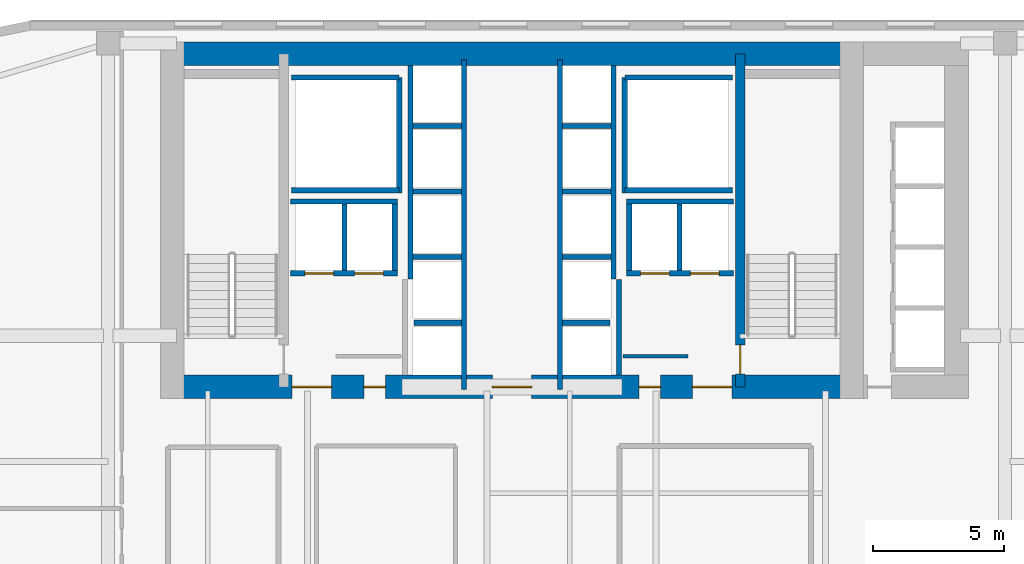
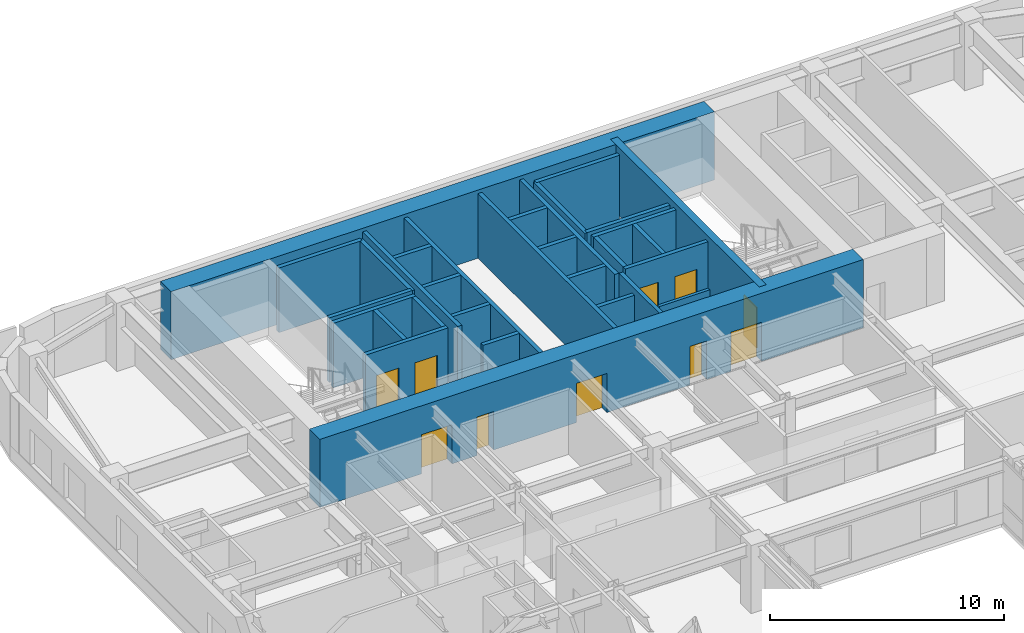
# One storey, part 18 of 24: 31 walls, 10 doors, 10 openings.
"""IFC4 building model written with IfcOpenShell, lengths in metres."""

from ifc_helpers import new_model, si_unit, direction, frame, frame_2d, origin, place, context, subcontext, project, spatial, rectangle, extrude, source, transform, mapped, material, layer, layer_set, type_object, type_shapes, element, fill, save


model = new_model("IFC4")

# Units and contexts
model_context = context("Model", 3, precision=1e-05, world=origin(), true_north=direction((0.0, 1.0)))
body_context = subcontext(model_context, "Body", "Model", "MODEL_VIEW")
ifc_project = project(units=[si_unit("LENGTHUNIT", "METRE"), si_unit("AREAUNIT", "SQUARE_METRE"), si_unit("VOLUMEUNIT", "CUBIC_METRE"), si_unit("PLANEANGLEUNIT", "RADIAN"), si_unit("MASSUNIT", "GRAM", prefix="KILO")], contexts=[model_context])

# Site, building, storey
site_placement = place(None, origin())
site = spatial("IfcSite", under=ifc_project, at=site_placement, CompositionType="ELEMENT")
building_placement = place(site_placement, origin())
building = spatial("IfcBuilding", under=site, at=building_placement, Name="Tolvann Quenvar Hotel", CompositionType="ELEMENT")
storey_placement = place(building_placement, frame((0.0, 0.0, 81.699951171875)))
storey = spatial("IfcBuildingStorey", under=building, at=storey_placement, Name="L20", CompositionType="ELEMENT", Elevation=81.699951171875)

# Wall, openings, doors
ifc_material_1 = material(Name="Concrete S80 (80 MPa)", Category="concrete")
ifc_layer_1 = layer(ifc_material_1, 0.89990234375)
ifc_layer_set_1 = layer_set([ifc_layer_1], Name="Concrete S80 (80 MPa)")
wall_type_1 = type_object("IfcWallType", Name="WALL_CORE_900", PredefinedType="SHEAR", material=ifc_layer_set_1)
wall_1_placement = place(storey_placement, frame((9.60009765625, 32.050048828125, 0.0), z_axis=(0.0, 0.0, 1.0), x_axis=(1.0, 0.0, 0.0)))
wall_1 = element("IfcWall", 1, at=wall_1_placement, inside=storey, type_object=wall_type_1, Name="Rear Core S Shear Wall (L20)", PredefinedType="SHEAR", context=body_context, shape_type="SweptSolid", body=[
    extrude(rectangle(XDim=26.7998046875, YDim=0.89990234375, at=frame_2d((13.39990234375, 0.0))), origin(), (0.0, 0.0, 1.0), 3.550048828125),
])
opening_1_placement = place(wall_1_placement, frame((6.52001953125, 0.0, 0.0), z_axis=(0.0, 0.0, 1.0), x_axis=(-1.0, 0.0, 0.0)))
opening_1 = element("IfcOpeningElement", 2, at=opening_1_placement, cuts=wall_1, Name="Opening FD-60D", PredefinedType="OPENING", context=body_context, shape_type="SweptSolid", body=[
    extrude(rectangle(XDim=1.5, YDim=2.0400390625, at=frame_2d((0.75, 1.02001953125))), frame((0.0, 0.4599609375, 0.0), z_axis=(0.0, -1.0, 0.0), x_axis=(1.0, 0.0, 0.0)), (0.0, 0.0, 1.0), 0.919921875),
])
opening_2_placement = place(wall_1_placement, frame((14.14990234375, 0.0, 0.0), z_axis=(0.0, 0.0, 1.0), x_axis=(-1.0, 0.0, 0.0)))
opening_2 = element("IfcOpeningElement", 3, at=opening_2_placement, cuts=wall_1, Name="Opening FD-60D", PredefinedType="OPENING", context=body_context, shape_type="SweptSolid", body=[
    extrude(rectangle(XDim=1.5, YDim=2.0400390625, at=frame_2d((0.75, 1.02001953125))), frame((0.0, 0.4599609375, 0.0), z_axis=(0.0, -1.0, 0.0), x_axis=(1.0, 0.0, 0.0)), (0.0, 0.0, 1.0), 0.919921875),
])
opening_3_placement = place(wall_1_placement, frame((21.780029296875, 0.0, 0.0), z_axis=(0.0, 0.0, 1.0), x_axis=(-1.0, 0.0, 0.0)))
opening_3 = element("IfcOpeningElement", 4, at=opening_3_placement, cuts=wall_1, Name="Opening FD-60D", PredefinedType="OPENING", context=body_context, shape_type="SweptSolid", body=[
    extrude(rectangle(XDim=1.5, YDim=2.0400390625, at=frame_2d((0.75, 1.02001953125))), frame((0.0, 0.4599609375, 0.0), z_axis=(0.0, -1.0, 0.0), x_axis=(1.0, 0.0, 0.0)), (0.0, 0.0, 1.0), 0.919921875),
])
opening_4_placement = place(wall_1_placement, frame((8.570068359375, 0.0, 0.0), z_axis=(0.0, 0.0, 1.0), x_axis=(-1.0, 0.0, 0.0)))
opening_4 = element("IfcOpeningElement", 5, at=opening_4_placement, cuts=wall_1, Name="Opening HD-02", PredefinedType="OPENING", context=body_context, shape_type="SweptSolid", body=[
    extrude(rectangle(XDim=0.820068359375, YDim=2.010009765625, at=frame_2d((0.41015625, 1.0048828125))), frame((0.0, 0.4599609375, 0.0), z_axis=(0.0, -1.0, 0.0), x_axis=(1.0, 0.0, 0.0)), (0.0, 0.0, 1.0), 0.919921875),
])
opening_5_placement = place(wall_1_placement, frame((19.070068359375, 0.0, 0.0), z_axis=(0.0, 0.0, 1.0), x_axis=(-1.0, 0.0, 0.0)))
opening_5 = element("IfcOpeningElement", 6, at=opening_5_placement, cuts=wall_1, Name="Opening HD-02", PredefinedType="OPENING", context=body_context, shape_type="SweptSolid", body=[
    extrude(rectangle(XDim=0.820068359375, YDim=2.010009765625, at=frame_2d((0.41015625, 1.0048828125))), frame((0.0, 0.4599609375, 0.0), z_axis=(0.0, -1.0, 0.0), x_axis=(1.0, 0.0, 0.0)), (0.0, 0.0, 1.0), 0.919921875),
])
ifc_material_2 = material(Name="Solid-core American oak acoustic fire door leaf in steel frame", Category="steel")
door_type_1 = type_object("IfcDoorType", Name="DOOR_FIRE_LOBBY_1500", OperationType="NOTDEFINED", PredefinedType="DOOR", material=ifc_material_2)
shared_shape_1 = source(origin(), body_context, "Body", "SweptSolid", [
    extrude(rectangle(XDim=1.5, YDim=2.0400390625, at=frame_2d((0.75, 1.02001953125))), frame((0.0, 0.02490234375, 0.0), z_axis=(0.0, -1.0, 0.0), x_axis=(1.0, 0.0, 0.0)), (0.0, 0.0, 1.0), 0.050048828125),
])
type_shapes(door_type_1, [shared_shape_1])
door_1_placement = place(opening_1_placement, origin())
door_1 = element("IfcDoor", 7, at=door_1_placement, inside=storey, type_object=door_type_1, Name="Core Lobby Fire Door FFW (L20)", OperationType="DOUBLE_DOOR_SINGLE_SWING", OverallHeight=2.0400390625, OverallWidth=1.5, PredefinedType="DOOR", context=body_context, shape_type="MappedRepresentation", body=[
    mapped(shared_shape_1, transform((0.0, 0.0, 0.0), x_axis=(1.0, 0.0, 0.0), y_axis=(0.0, 1.0, 0.0), z_axis=(0.0, 0.0, 1.0), scale=1.0)),
])
fill(opening_1, door_1)
door_2_placement = place(opening_2_placement, origin())
door_2 = element("IfcDoor", 8, at=door_2_placement, inside=storey, type_object=door_type_1, Name="Core Lobby Fire Door CLOB (L20)", OperationType="DOUBLE_DOOR_SINGLE_SWING", OverallHeight=2.0400390625, OverallWidth=1.5, PredefinedType="DOOR", context=body_context, shape_type="MappedRepresentation", body=[
    mapped(shared_shape_1, transform((0.0, 0.0, 0.0), x_axis=(1.0, 0.0, 0.0), y_axis=(0.0, 1.0, 0.0), z_axis=(0.0, 0.0, 1.0), scale=1.0)),
])
fill(opening_2, door_2)
door_3_placement = place(opening_3_placement, origin())
door_3 = element("IfcDoor", 9, at=door_3_placement, inside=storey, type_object=door_type_1, Name="Core Lobby Fire Door FFE (L20)", OperationType="DOUBLE_DOOR_SINGLE_SWING", OverallHeight=2.0400390625, OverallWidth=1.5, PredefinedType="DOOR", context=body_context, shape_type="MappedRepresentation", body=[
    mapped(shared_shape_1, transform((0.0, 0.0, 0.0), x_axis=(1.0, 0.0, 0.0), y_axis=(0.0, 1.0, 0.0), z_axis=(0.0, 0.0, 1.0), scale=1.0)),
])
fill(opening_3, door_3)
ifc_material_3 = material(Name="Pressed galvanised steel fire-rated door set", Category="steel")
door_type_2 = type_object("IfcDoorType", Name="DOOR_STORE_820", OperationType="NOTDEFINED", PredefinedType="DOOR", material=ifc_material_3)
shared_shape_2 = source(origin(), body_context, "Body", "SweptSolid", [
    extrude(rectangle(XDim=0.820068359375, YDim=2.010009765625, at=frame_2d((0.41015625, 1.0048828125))), frame((0.0, 0.02490234375, 0.0), z_axis=(0.0, -1.0, 0.0), x_axis=(1.0, 0.0, 0.0)), (0.0, 0.0, 1.0), 0.050048828125),
])
type_shapes(door_type_2, [shared_shape_2])
door_4_placement = place(opening_4_placement, origin())
door_4 = element("IfcDoor", 10, at=door_4_placement, inside=storey, type_object=door_type_2, Name="Core Linen Store Fire Door (L20)", OperationType="SINGLE_SWING_RIGHT", OverallHeight=2.010009765625, OverallWidth=0.820068359375, PredefinedType="DOOR", context=body_context, shape_type="MappedRepresentation", body=[
    mapped(shared_shape_2, transform((0.0, 0.0, 0.0), x_axis=(1.0, 0.0, 0.0), y_axis=(0.0, 1.0, 0.0), z_axis=(0.0, 0.0, 1.0), scale=1.0)),
])
fill(opening_4, door_4)
door_5_placement = place(opening_5_placement, origin())
door_5 = element("IfcDoor", 11, at=door_5_placement, inside=storey, type_object=door_type_2, Name="Core Comms Closet Fire Door (L20)", OperationType="SINGLE_SWING_LEFT", OverallHeight=2.010009765625, OverallWidth=0.820068359375, PredefinedType="DOOR", context=body_context, shape_type="MappedRepresentation", body=[
    mapped(shared_shape_2, transform((0.0, 0.0, 0.0), x_axis=(1.0, 0.0, 0.0), y_axis=(0.0, 1.0, 0.0), z_axis=(0.0, 0.0, 1.0), scale=1.0)),
])
fill(opening_5, door_5)

# Wall
wall_2_placement = place(storey_placement, frame((9.60009765625, 44.75, 0.0), z_axis=(0.0, 0.0, 1.0), x_axis=(1.0, 0.0, 0.0)))
element("IfcWall", 12, at=wall_2_placement, inside=storey, type_object=wall_type_1, Name="Rear Core N Shear Wall (L20)", PredefinedType="SHEAR", context=body_context, shape_type="SweptSolid", body=[
    extrude(rectangle(XDim=26.7998046875, YDim=0.89990234375, at=frame_2d((13.39990234375, 0.0))), origin(), (0.0, 0.0, 1.0), 3.550048828125),
])

# Wall, opening, door
ifc_material_4 = material(Name="Concrete S65 (65 MPa)", Category="concrete")
ifc_layer_2 = layer(ifc_material_4, 0.35009765625)
ifc_layer_set_2 = layer_set([ifc_layer_2], Name="Concrete S65 (65 MPa)")
wall_type_2 = type_object("IfcWallType", Name="WALL_CORE_INT_350", PredefinedType="SHEAR", material=ifc_layer_set_2)
wall_3_placement = place(storey_placement, frame((31.699951171875, 32.050048828125, 0.0), z_axis=(0.0, 0.0, 1.0), x_axis=(0.0, 1.0, 0.0)))
wall_3 = element("IfcWall", 13, at=wall_3_placement, inside=storey, type_object=wall_type_2, Name="Core Internal Web Shear Wall WEB-E (L20)", PredefinedType="SHEAR", context=body_context, shape_type="SweptSolid", body=[
    extrude(rectangle(XDim=12.699951171875, YDim=0.35009765625, at=frame_2d((6.35009765625, 0.0))), origin(), (0.0, 0.0, 1.0), 3.550048828125),
])
opening_6_placement = place(wall_3_placement, frame((1.60009765625, 0.0, 0.0), z_axis=(0.0, 0.0, 1.0), x_axis=(-1.0, 0.0, 0.0)))
opening_6 = element("IfcOpeningElement", 14, at=opening_6_placement, cuts=wall_3, Name="Opening FD-120", PredefinedType="OPENING", context=body_context, shape_type="SweptSolid", body=[
    extrude(rectangle(XDim=1.10009765625, YDim=2.1201171875, at=frame_2d((0.550048828125, 1.06005859375))), frame((0.0, 0.18505859375, 0.0), z_axis=(0.0, -1.0, 0.0), x_axis=(1.0, 0.0, 0.0)), (0.0, 0.0, 1.0), 0.3701171875),
])
door_type_3 = type_object("IfcDoorType", Name="DOOR_FIRE_STAIR_1100", OperationType="NOTDEFINED", PredefinedType="DOOR", material=ifc_material_3)
shared_shape_3 = source(origin(), body_context, "Body", "SweptSolid", [
    extrude(rectangle(XDim=1.10009765625, YDim=2.1201171875, at=frame_2d((0.550048828125, 1.06005859375))), frame((0.0, 0.02490234375, 0.0), z_axis=(0.0, -1.0, 0.0), x_axis=(1.0, 0.0, 0.0)), (0.0, 0.0, 1.0), 0.050048828125),
])
type_shapes(door_type_3, [shared_shape_3])
door_6_placement = place(opening_6_placement, origin())
door_6 = element("IfcDoor", 15, at=door_6_placement, inside=storey, type_object=door_type_3, Name="Exit Stair ST-C2 Fire Door (L20)", OperationType="SINGLE_SWING_LEFT", OverallHeight=2.1201171875, OverallWidth=1.10009765625, PredefinedType="DOOR", context=body_context, shape_type="MappedRepresentation", body=[
    mapped(shared_shape_3, transform((0.0, 0.0, 0.0), x_axis=(1.0, 0.0, 0.0), y_axis=(0.0, 1.0, 0.0), z_axis=(0.0, 0.0, 1.0), scale=1.0)),
])
fill(opening_6, door_6)

# Walls
ifc_material_5 = material(Name="Acoustic twin-stud fire-rated gypsum plasterboard partition")
ifc_layer_3 = layer(ifc_material_5, 0.14990234375)
ifc_layer_set_3 = layer_set([ifc_layer_3], Name="Acoustic twin-stud fire-rated gypsum plasterboard partition")
wall_type_3 = type_object("IfcWallType", Name="WALL_PART_SUITE_150", PredefinedType="PARTITIONING", material=ifc_layer_set_3)
wall_4_placement = place(storey_placement, frame((27.235107421875, 33.219970703125, 0.0), z_axis=(0.0, 0.0, 1.0), x_axis=(1.0, 0.0, 0.0)))
element("IfcWall", 16, at=wall_4_placement, inside=storey, type_object=wall_type_3, Name="Interior Partition PT-SPC-L20-CSE-2-N", PredefinedType="PARTITIONING", context=body_context, shape_type="SweptSolid", body=[
    extrude(rectangle(XDim=2.48486328125, YDim=0.14990234375, at=frame_2d((1.242431640625, 0.0))), origin(), (0.0, 0.0, 1.0), 3.3701171875),
])
ifc_material_6 = material(Name="Concrete N40 (40 MPa)", Category="concrete")
ifc_layer_4 = layer(ifc_material_6, 0.199951171875)
ifc_layer_set_4 = layer_set([ifc_layer_4], Name="Concrete N40 (40 MPa)")
wall_type_4 = type_object("IfcWallType", Name="WALL_SHAFT_200", PredefinedType="SOLIDWALL", material=ifc_layer_set_4)
wall_5_placement = place(storey_placement, frame((18.699951171875, 39.449951171875, 0.0), z_axis=(0.0, 0.0, 1.0), x_axis=(0.0, 1.0, 0.0)))
element("IfcWall", 17, at=wall_5_placement, inside=storey, type_object=wall_type_4, Name="Service Riser W Shaft Wall IN (L20)", PredefinedType="SOLIDWALL", context=body_context, shape_type="SweptSolid", body=[
    extrude(rectangle(XDim=4.400146484375, YDim=0.199951171875, at=frame_2d((2.2001953125, 0.0))), origin(), (0.0, 0.0, 1.0), 3.3701171875),
])
for number, where, z_axis, x_axis, name in (
    (18, (14.60009765625, 39.550048828125, 0.0), (0.0, 0.0, 1.0), (1.0, 0.0, 0.0), "Service Riser W Shaft Wall S (L20)"),
    (19, (14.60009765625, 43.85009765625, 0.0), (0.0, 0.0, 1.0), (1.0, 0.0, 0.0), "Service Riser W Shaft Wall N (L20)"),
):
    element("IfcWall", number, at=place(storey_placement, frame(where, z_axis=z_axis, x_axis=x_axis)), inside=storey, type_object=wall_type_4, Name=name, PredefinedType="SOLIDWALL", context=body_context, shape_type="SweptSolid", body=[
        extrude(rectangle(XDim=4.099853515625, YDim=0.199951171875, at=frame_2d((2.0498046875, 0.0))), origin(), (0.0, 0.0, 1.0), 3.3701171875),
    ])
wall_6_placement = place(storey_placement, frame((27.300048828125, 39.449951171875, 0.0), z_axis=(0.0, 0.0, 1.0), x_axis=(0.0, 1.0, 0.0)))
element("IfcWall", 20, at=wall_6_placement, inside=storey, type_object=wall_type_4, Name="Service Riser E Shaft Wall IN (L20)", PredefinedType="SOLIDWALL", context=body_context, shape_type="SweptSolid", body=[
    extrude(rectangle(XDim=4.400146484375, YDim=0.199951171875, at=frame_2d((2.2001953125, 0.0))), origin(), (0.0, 0.0, 1.0), 3.3701171875),
])
for number, where, z_axis, x_axis, name in (
    (21, (27.300048828125, 39.550048828125, 0.0), (0.0, 0.0, 1.0), (1.0, 0.0, 0.0), "Service Riser E Shaft Wall S (L20)"),
    (22, (27.300048828125, 43.85009765625, 0.0), (0.0, 0.0, 1.0), (1.0, 0.0, 0.0), "Service Riser E Shaft Wall N (L20)"),
):
    element("IfcWall", number, at=place(storey_placement, frame(where, z_axis=z_axis, x_axis=x_axis)), inside=storey, type_object=wall_type_4, Name=name, PredefinedType="SOLIDWALL", context=body_context, shape_type="SweptSolid", body=[
        extrude(rectangle(XDim=4.099853515625, YDim=0.199951171875, at=frame_2d((2.0498046875, 0.0))), origin(), (0.0, 0.0, 1.0), 3.3701171875),
    ])
wall_7_placement = place(storey_placement, frame((27.080078125, 32.50390625, 0.0), z_axis=(0.0, 0.0, 1.0), x_axis=(0.0, 1.0, 0.0)))
element("IfcWall", 23, at=wall_7_placement, inside=storey, type_object=wall_type_4, Name="Firefighting Lobby E Inner Fire Wall (L20)", PredefinedType="SOLIDWALL", context=body_context, shape_type="SweptSolid", body=[
    extrude(rectangle(XDim=3.64599609375, YDim=0.199951171875, at=frame_2d((1.822998046875, 0.0))), origin(), (0.0, 0.0, 1.0), 3.3701171875),
])
wall_8_placement = place(storey_placement, frame((21.169921875, 31.9599609375, 0.0), z_axis=(0.0, 0.0, 1.0), x_axis=(0.0, 1.0, 0.0)))
element("IfcWall", 24, at=wall_8_placement, inside=storey, type_object=wall_type_4, Name="Lift Bank E21.1C1 Hoistway Front Wall (L20)", PredefinedType="SOLIDWALL", context=body_context, shape_type="SweptSolid", body=[
    extrude(rectangle(XDim=12.580078125, YDim=0.199951171875, at=frame_2d((6.2900390625, 0.0))), origin(), (0.0, 0.0, 1.0), 3.3701171875),
])
wall_9_placement = place(storey_placement, frame((19.1298828125, 36.159912109375, 0.0), z_axis=(0.0, 0.0, 1.0), x_axis=(0.0, 1.0, 0.0)))
element("IfcWall", 25, at=wall_9_placement, inside=storey, type_object=wall_type_4, Name="Lift Bank E21.1C1 Hoistway Rear Wall (L20)", PredefinedType="SOLIDWALL", context=body_context, shape_type="SweptSolid", body=[
    extrude(rectangle(XDim=8.135986328125, YDim=0.199951171875, at=frame_2d((4.06787109375, 0.0))), origin(), (0.0, 0.0, 1.0), 3.3701171875),
])
wall_10_placement = place(storey_placement, frame((19.27001953125, 34.5, 0.0), z_axis=(0.0, 0.0, 1.0), x_axis=(1.0, 0.0, 0.0)))
element("IfcWall", 26, at=wall_10_placement, inside=storey, type_object=wall_type_4, Name="Lift Bank E21.1C1 Divider Wall 1 (L20)", PredefinedType="SOLIDWALL", context=body_context, shape_type="SweptSolid", body=[
    extrude(rectangle(XDim=1.800048828125, YDim=0.199951171875, at=frame_2d((0.89990234375, 0.0))), origin(), (0.0, 0.0, 1.0), 3.3701171875),
])
for number, where, z_axis, x_axis, name in (
    (27, (19.22998046875, 37.0, 0.0), (0.0, 0.0, 1.0), (1.0, 0.0, 0.0), "Lift Bank E21.1C1 Divider Wall 2 (L20)"),
    (28, (19.22998046875, 39.5, 0.0), (0.0, 0.0, 1.0), (1.0, 0.0, 0.0), "Lift Bank E21.1C1 Divider Wall 3 (L20)"),
    (29, (19.22998046875, 42.0, 0.0), (0.0, 0.0, 1.0), (1.0, 0.0, 0.0), "Lift Bank E21.1C1 Divider Wall 4 (L20)"),
):
    element("IfcWall", number, at=place(storey_placement, frame(where, z_axis=z_axis, x_axis=x_axis)), inside=storey, type_object=wall_type_4, Name=name, PredefinedType="SOLIDWALL", context=body_context, shape_type="SweptSolid", body=[
        extrude(rectangle(XDim=1.840087890625, YDim=0.199951171875, at=frame_2d((0.919921875, 0.0))), origin(), (0.0, 0.0, 1.0), 3.3701171875),
    ])

# Wall, openings, doors
wall_11_placement = place(storey_placement, frame((27.375, 36.3798828125, 0.0), z_axis=(0.0, 0.0, 1.0), x_axis=(1.0, 0.0, 0.0)))
wall_11 = element("IfcWall", 30, at=wall_11_placement, inside=storey, type_object=wall_type_4, Name="Lift Bank SEC1 Hoistway Front Wall (L20)", PredefinedType="SOLIDWALL", context=body_context, shape_type="SweptSolid", body=[
    extrude(rectangle(XDim=4.074951171875, YDim=0.199951171875, at=frame_2d((2.03759765625, 0.0))), origin(), (0.0, 0.0, 1.0), 3.3701171875),
])
opening_7_placement = place(wall_11_placement, frame((0.52490234375, 0.0, 0.0)))
opening_7 = element("IfcOpeningElement", 31, at=opening_7_placement, cuts=wall_11, Name="Opening LD-01", PredefinedType="OPENING", context=body_context, shape_type="SweptSolid", body=[
    extrude(rectangle(XDim=1.10009765625, YDim=2.1201171875, at=frame_2d((0.550048828125, 1.06005859375))), frame((0.0, 0.10986328125, 0.0), z_axis=(0.0, -1.0, 0.0), x_axis=(1.0, 0.0, 0.0)), (0.0, 0.0, 1.0), 0.219970703125),
])
opening_8_placement = place(wall_11_placement, frame((2.425048828125, 0.0, 0.0)))
opening_8 = element("IfcOpeningElement", 32, at=opening_8_placement, cuts=wall_11, Name="Opening LD-01", PredefinedType="OPENING", context=body_context, shape_type="SweptSolid", body=[
    extrude(rectangle(XDim=1.10009765625, YDim=2.1201171875, at=frame_2d((0.550048828125, 1.06005859375))), frame((0.0, 0.10986328125, 0.0), z_axis=(0.0, -1.0, 0.0), x_axis=(1.0, 0.0, 0.0)), (0.0, 0.0, 1.0), 0.219970703125),
])
ifc_material_7 = material(Name="Brushed 316 stainless steel automatic sliding lift landing door", Category="steel")
door_type_4 = type_object("IfcDoorType", Name="DOOR_LIFT_SLIDE_1100", OperationType="NOTDEFINED", PredefinedType="DOOR", material=ifc_material_7)
shared_shape_4 = source(origin(), body_context, "Body", "SweptSolid", [
    extrude(rectangle(XDim=1.10009765625, YDim=2.1201171875, at=frame_2d((0.550048828125, 1.06005859375))), frame((0.0, 0.02490234375, 0.0), z_axis=(0.0, -1.0, 0.0), x_axis=(1.0, 0.0, 0.0)), (0.0, 0.0, 1.0), 0.050048828125),
])
type_shapes(door_type_4, [shared_shape_4])
door_7_placement = place(opening_7_placement, origin())
door_7 = element("IfcDoor", 33, at=door_7_placement, inside=storey, type_object=door_type_4, Name="Lift SV-2 Sliding Landing Door (L20)", OperationType="SLIDING_TO_LEFT", OverallHeight=2.1201171875, OverallWidth=1.10009765625, PredefinedType="DOOR", context=body_context, shape_type="MappedRepresentation", body=[
    mapped(shared_shape_4, transform((0.0, 0.0, 0.0), x_axis=(1.0, 0.0, 0.0), y_axis=(0.0, 1.0, 0.0), z_axis=(0.0, 0.0, 1.0), scale=1.0)),
])
fill(opening_7, door_7)
door_8_placement = place(opening_8_placement, origin())
door_8 = element("IfcDoor", 34, at=door_8_placement, inside=storey, type_object=door_type_4, Name="Lift FF-2 Sliding Landing Door (L20)", OperationType="SLIDING_TO_RIGHT", OverallHeight=2.1201171875, OverallWidth=1.10009765625, PredefinedType="DOOR", context=body_context, shape_type="MappedRepresentation", body=[
    mapped(shared_shape_4, transform((0.0, 0.0, 0.0), x_axis=(1.0, 0.0, 0.0), y_axis=(0.0, 1.0, 0.0), z_axis=(0.0, 0.0, 1.0), scale=1.0)),
])
fill(opening_8, door_8)

# Walls
wall_12_placement = place(storey_placement, frame((27.375, 39.1201171875, 0.0), z_axis=(0.0, 0.0, 1.0), x_axis=(1.0, 0.0, 0.0)))
element("IfcWall", 35, at=wall_12_placement, inside=storey, type_object=wall_type_4, Name="Lift Bank SEC1 Hoistway Rear Wall (L20)", PredefinedType="SOLIDWALL", context=body_context, shape_type="SweptSolid", body=[
    extrude(rectangle(XDim=4.074951171875, YDim=0.199951171875, at=frame_2d((2.03759765625, 0.0))), origin(), (0.0, 0.0, 1.0), 3.3701171875),
])
for number, where, z_axis, x_axis, name in (
    (36, (27.47509765625, 36.47998046875, 0.0), (0.0, 0.0, 1.0), (0.0, 1.0, 0.0), "Lift Bank SEC1 Hoistway Cheek Wall 1 (L20)"),
    (37, (29.387451171875, 36.47998046875, 0.0), (0.0, 0.0, 1.0), (0.0, 1.0, 0.0), "Lift Bank SEC1 Divider Wall 1 (L20)"),
):
    element("IfcWall", number, at=place(storey_placement, frame(where, z_axis=z_axis, x_axis=x_axis)), inside=storey, type_object=wall_type_4, Name=name, PredefinedType="SOLIDWALL", context=body_context, shape_type="SweptSolid", body=[
        extrude(rectangle(XDim=2.5400390625, YDim=0.199951171875, at=frame_2d((1.27001953125, 0.0))), origin(), (0.0, 0.0, 1.0), 3.3701171875),
    ])

# Wall, openings, doors
wall_13_placement = place(storey_placement, frame((14.550048828125, 36.3798828125, 0.0), z_axis=(0.0, 0.0, 1.0), x_axis=(1.0, 0.0, 0.0)))
wall_13 = element("IfcWall", 38, at=wall_13_placement, inside=storey, type_object=wall_type_4, Name="Lift Bank SWC1 Hoistway Front Wall (L20)", PredefinedType="SOLIDWALL", context=body_context, shape_type="SweptSolid", body=[
    extrude(rectangle(XDim=4.074951171875, YDim=0.199951171875, at=frame_2d((2.03759765625, 0.0))), origin(), (0.0, 0.0, 1.0), 3.3701171875),
])
opening_9_placement = place(wall_13_placement, frame((0.550048828125, 0.0, 0.0)))
opening_9 = element("IfcOpeningElement", 39, at=opening_9_placement, cuts=wall_13, Name="Opening LD-01", PredefinedType="OPENING", context=body_context, shape_type="SweptSolid", body=[
    extrude(rectangle(XDim=1.10009765625, YDim=2.1201171875, at=frame_2d((0.550048828125, 1.06005859375))), frame((0.0, 0.10986328125, 0.0), z_axis=(0.0, -1.0, 0.0), x_axis=(1.0, 0.0, 0.0)), (0.0, 0.0, 1.0), 0.219970703125),
])
opening_10_placement = place(wall_13_placement, frame((2.449951171875, 0.0, 0.0)))
opening_10 = element("IfcOpeningElement", 40, at=opening_10_placement, cuts=wall_13, Name="Opening LD-01", PredefinedType="OPENING", context=body_context, shape_type="SweptSolid", body=[
    extrude(rectangle(XDim=1.10009765625, YDim=2.1201171875, at=frame_2d((0.550048828125, 1.06005859375))), frame((0.0, 0.10986328125, 0.0), z_axis=(0.0, -1.0, 0.0), x_axis=(1.0, 0.0, 0.0)), (0.0, 0.0, 1.0), 0.219970703125),
])
door_9_placement = place(opening_9_placement, origin())
door_9 = element("IfcDoor", 41, at=door_9_placement, inside=storey, type_object=door_type_4, Name="Lift FF-1 Sliding Landing Door (L20)", OperationType="SLIDING_TO_LEFT", OverallHeight=2.1201171875, OverallWidth=1.10009765625, PredefinedType="DOOR", context=body_context, shape_type="MappedRepresentation", body=[
    mapped(shared_shape_4, transform((0.0, 0.0, 0.0), x_axis=(1.0, 0.0, 0.0), y_axis=(0.0, 1.0, 0.0), z_axis=(0.0, 0.0, 1.0), scale=1.0)),
])
fill(opening_9, door_9)
door_10_placement = place(opening_10_placement, origin())
door_10 = element("IfcDoor", 42, at=door_10_placement, inside=storey, type_object=door_type_4, Name="Lift SV-1 Sliding Landing Door (L20)", OperationType="SLIDING_TO_RIGHT", OverallHeight=2.1201171875, OverallWidth=1.10009765625, PredefinedType="DOOR", context=body_context, shape_type="MappedRepresentation", body=[
    mapped(shared_shape_4, transform((0.0, 0.0, 0.0), x_axis=(1.0, 0.0, 0.0), y_axis=(0.0, 1.0, 0.0), z_axis=(0.0, 0.0, 1.0), scale=1.0)),
])
fill(opening_10, door_10)

# Walls
wall_14_placement = place(storey_placement, frame((14.550048828125, 39.1201171875, 0.0), z_axis=(0.0, 0.0, 1.0), x_axis=(1.0, 0.0, 0.0)))
element("IfcWall", 43, at=wall_14_placement, inside=storey, type_object=wall_type_4, Name="Lift Bank SWC1 Hoistway Rear Wall (L20)", PredefinedType="SOLIDWALL", context=body_context, shape_type="SweptSolid", body=[
    extrude(rectangle(XDim=4.074951171875, YDim=0.199951171875, at=frame_2d((2.03759765625, 0.0))), origin(), (0.0, 0.0, 1.0), 3.3701171875),
])
for number, where, z_axis, x_axis, name in (
    (44, (18.52490234375, 36.47998046875, 0.0), (0.0, 0.0, 1.0), (0.0, 1.0, 0.0), "Lift Bank SWC1 Hoistway Cheek Wall 2 (L20)"),
    (45, (16.612548828125, 36.47998046875, 0.0), (0.0, 0.0, 1.0), (0.0, 1.0, 0.0), "Lift Bank SWC1 Divider Wall 1 (L20)"),
):
    element("IfcWall", number, at=place(storey_placement, frame(where, z_axis=z_axis, x_axis=x_axis)), inside=storey, type_object=wall_type_4, Name=name, PredefinedType="SOLIDWALL", context=body_context, shape_type="SweptSolid", body=[
        extrude(rectangle(XDim=2.5400390625, YDim=0.199951171875, at=frame_2d((1.27001953125, 0.0))), origin(), (0.0, 0.0, 1.0), 3.3701171875),
    ])
wall_15_placement = place(storey_placement, frame((24.830078125, 31.9599609375, 0.0), z_axis=(0.0, 0.0, 1.0), x_axis=(0.0, 1.0, 0.0)))
element("IfcWall", 46, at=wall_15_placement, inside=storey, type_object=wall_type_4, Name="Lift Bank W24.9C1 Hoistway Front Wall (L20)", PredefinedType="SOLIDWALL", context=body_context, shape_type="SweptSolid", body=[
    extrude(rectangle(XDim=12.580078125, YDim=0.199951171875, at=frame_2d((6.2900390625, 0.0))), origin(), (0.0, 0.0, 1.0), 3.3701171875),
])
wall_16_placement = place(storey_placement, frame((26.8701171875, 36.159912109375, 0.0), z_axis=(0.0, 0.0, 1.0), x_axis=(0.0, 1.0, 0.0)))
element("IfcWall", 47, at=wall_16_placement, inside=storey, type_object=wall_type_4, Name="Lift Bank W24.9C1 Hoistway Rear Wall (L20)", PredefinedType="SOLIDWALL", context=body_context, shape_type="SweptSolid", body=[
    extrude(rectangle(XDim=8.135986328125, YDim=0.199951171875, at=frame_2d((4.06787109375, 0.0))), origin(), (0.0, 0.0, 1.0), 3.3701171875),
])
wall_17_placement = place(storey_placement, frame((24.929931640625, 34.5, 0.0), z_axis=(0.0, 0.0, 1.0), x_axis=(1.0, 0.0, 0.0)))
element("IfcWall", 48, at=wall_17_placement, inside=storey, type_object=wall_type_4, Name="Lift Bank W24.9C1 Divider Wall 1 (L20)", PredefinedType="SOLIDWALL", context=body_context, shape_type="SweptSolid", body=[
    extrude(rectangle(XDim=1.800048828125, YDim=0.199951171875, at=frame_2d((0.89990234375, 0.0))), origin(), (0.0, 0.0, 1.0), 3.3701171875),
])
for number, where, z_axis, x_axis, name in (
    (49, (24.929931640625, 37.0, 0.0), (0.0, 0.0, 1.0), (1.0, 0.0, 0.0), "Lift Bank W24.9C1 Divider Wall 2 (L20)"),
    (50, (24.929931640625, 39.5, 0.0), (0.0, 0.0, 1.0), (1.0, 0.0, 0.0), "Lift Bank W24.9C1 Divider Wall 3 (L20)"),
    (51, (24.929931640625, 42.0, 0.0), (0.0, 0.0, 1.0), (1.0, 0.0, 0.0), "Lift Bank W24.9C1 Divider Wall 4 (L20)"),
):
    element("IfcWall", number, at=place(storey_placement, frame(where, z_axis=z_axis, x_axis=x_axis)), inside=storey, type_object=wall_type_4, Name=name, PredefinedType="SOLIDWALL", context=body_context, shape_type="SweptSolid", body=[
        extrude(rectangle(XDim=1.840087890625, YDim=0.199951171875, at=frame_2d((0.919921875, 0.0))), origin(), (0.0, 0.0, 1.0), 3.3701171875),
    ])

save(model, "model.ifc")
